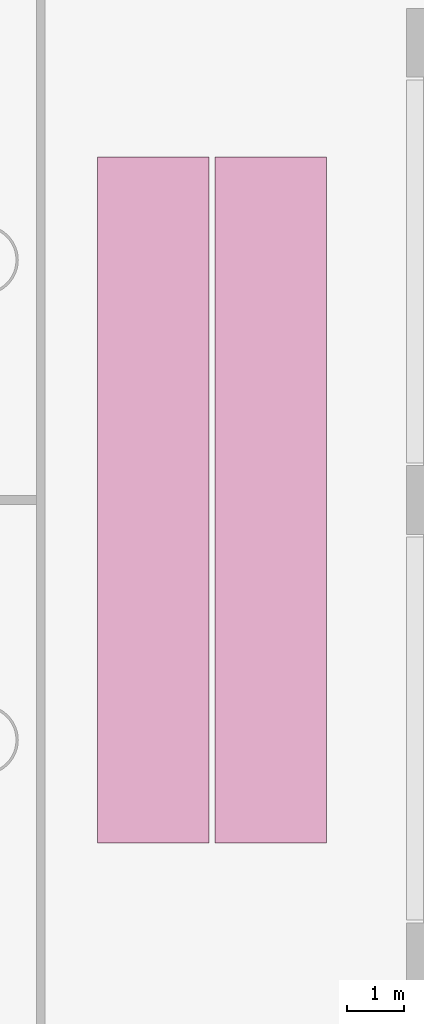
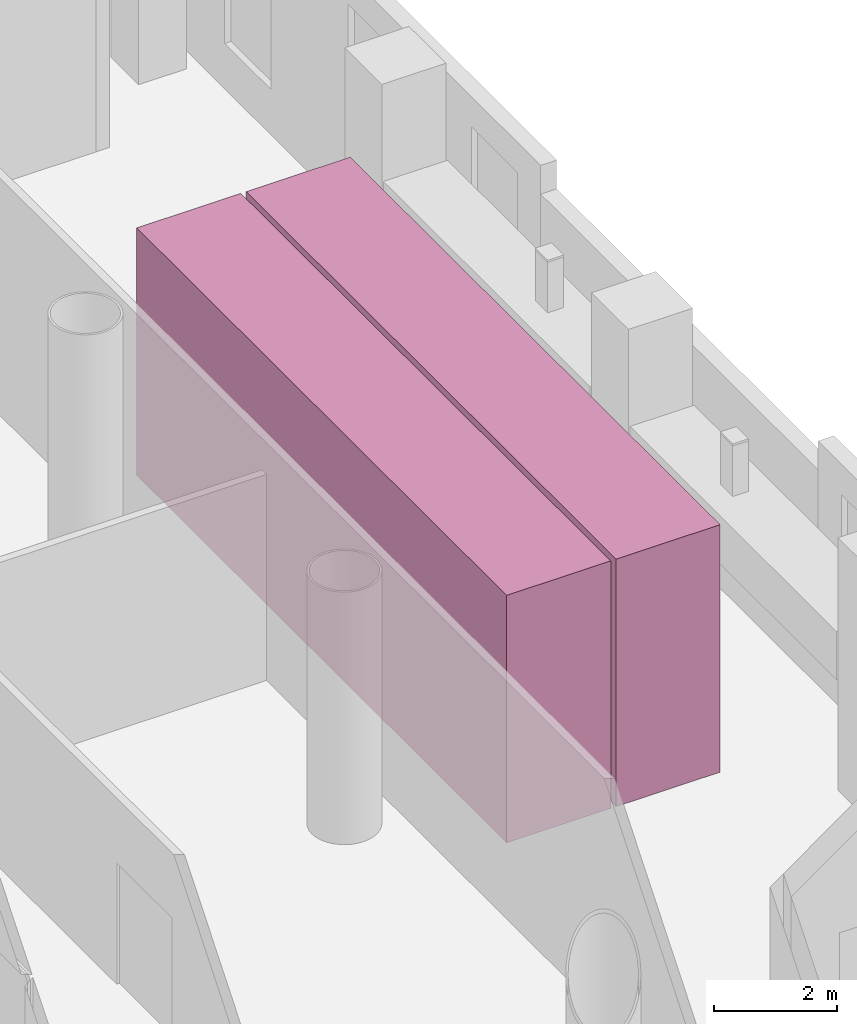
# One storey, part 26 of 26: 2 transport elements.
"""IFC4 building model written with IfcOpenShell, lengths in metres."""

from ifc_helpers import new_model, si_unit, direction, frame, origin, origin_2d, place, context, subcontext, project, spatial, rectangle, extrude, material, type_object, element, save


model = new_model("IFC4")

# Units and contexts
model_context = context("Model", 3, precision=1e-05, world=origin(), true_north=direction((0.0, 1.0)))
body_context = subcontext(model_context, "Body", "Model", "MODEL_VIEW")
ifc_project = project(units=[si_unit("LENGTHUNIT", "METRE"), si_unit("AREAUNIT", "SQUARE_METRE"), si_unit("VOLUMEUNIT", "CUBIC_METRE"), si_unit("PLANEANGLEUNIT", "RADIAN"), si_unit("MASSUNIT", "GRAM", prefix="KILO")], contexts=[model_context])

# Site, building, storey
site_placement = place(None, origin())
site = spatial("IfcSite", under=ifc_project, at=site_placement, CompositionType="ELEMENT")
building_placement = place(site_placement, origin())
building = spatial("IfcBuilding", under=site, at=building_placement, Name="Ostroluk Exchange", CompositionType="ELEMENT")
storey_placement = place(building_placement, frame((0.0, 0.0, 6.0)))
storey = spatial("IfcBuildingStorey", under=building, at=storey_placement, Name="L01", CompositionType="ELEMENT", Elevation=6.0)

# Transport elements
ifc_material = material(Name="Steel S355", Category="steel")
transport_element_type = type_object("IfcTransportElementType", Name="Escalator 1000 step", PredefinedType="ESCALATOR", material=ifc_material)
for number, where, z_axis, x_axis, name in (
    (1, (71.97509765625, 46.0, 0.0), (0.0, 0.0, 1.0), (1.0, 0.0, 0.0), "Escalator ES3 up"),
    (2, (74.02490234375, 46.0, 0.0), (0.0, 0.0, 1.0), (1.0, 0.0, 0.0), "Escalator ES3 down"),
):
    element("IfcTransportElement", number, at=place(storey_placement, frame(where, z_axis=z_axis, x_axis=x_axis)), inside=storey, type_object=transport_element_type, Name=name, PredefinedType="ESCALATOR", context=body_context, shape_type="SweptSolid", body=[
        extrude(rectangle(XDim=1.949951171875, YDim=12.0, at=origin_2d()), origin(), (0.0, 0.0, 1.0), 4.89990234375),
    ])

save(model, "model.ifc")
